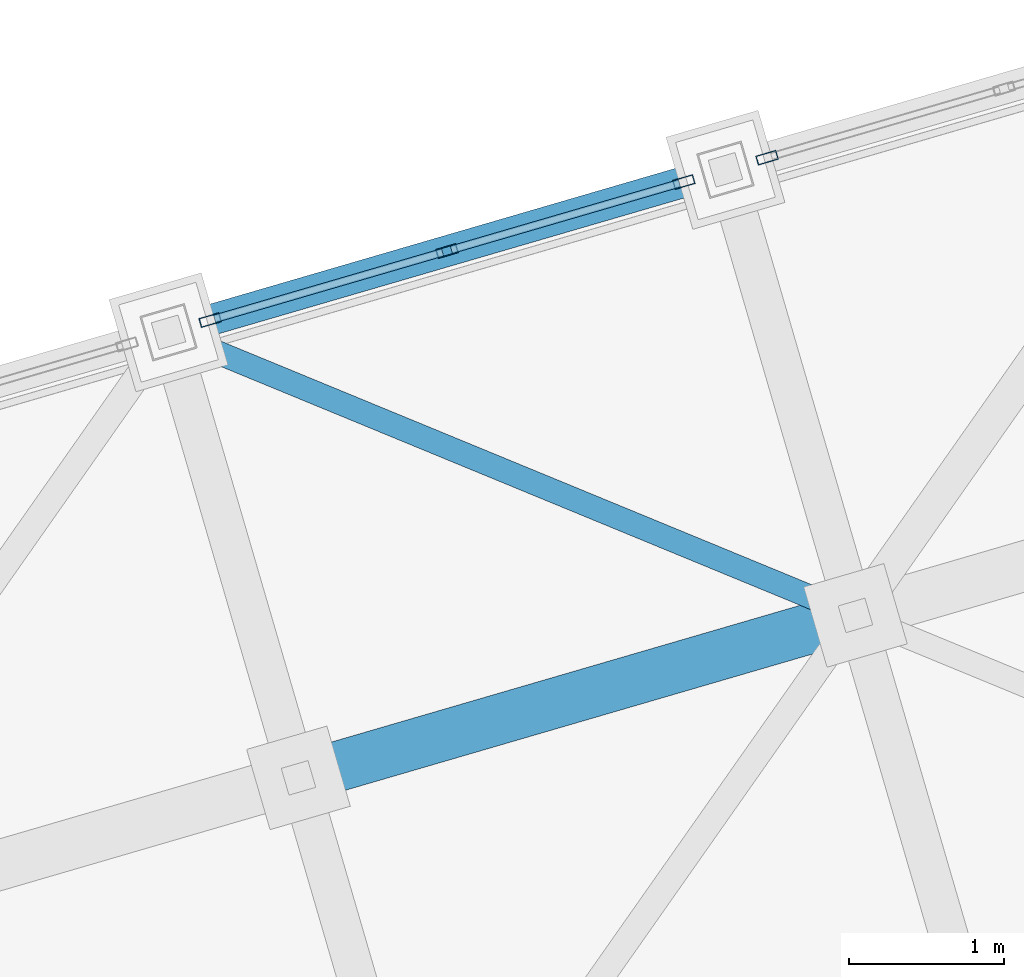
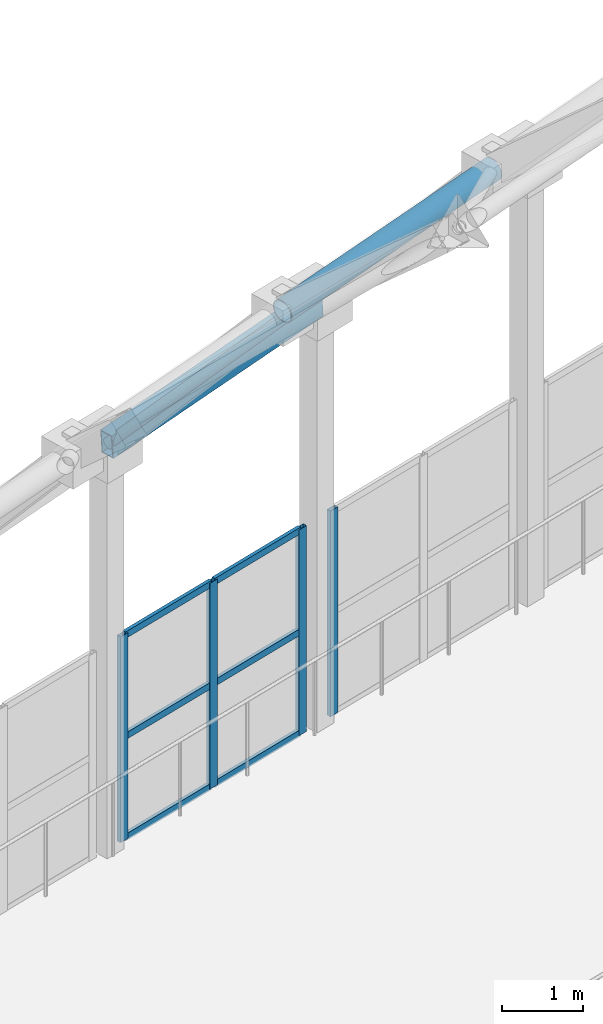
# One storey, part 118 of 248: 12 members, 1 beam, 2 elements without a shape of their own.
"""IFC4 building model written with IfcOpenShell, lengths in metres."""

from ifc_helpers import new_model, si_unit, direction, frame, origin, origin_2d, place, context, subcontext, project, spatial, hollow_rectangle, hollow_circle, extrude, material, layer, layer_set, material_profile, profile_set, type_object, element, aggregate, save


model = new_model("IFC4")

# Units and contexts
model_context = context("Model", 3, precision=1e-05, world=origin(), true_north=direction((0.0, 1.0)))
body_context = subcontext(model_context, "Body", "Model", "MODEL_VIEW")
ifc_project = project(units=[si_unit("LENGTHUNIT", "METRE"), si_unit("AREAUNIT", "SQUARE_METRE"), si_unit("VOLUMEUNIT", "CUBIC_METRE"), si_unit("PLANEANGLEUNIT", "RADIAN"), si_unit("MASSUNIT", "GRAM", prefix="KILO")], contexts=[model_context])

# Site, building, storey
site_placement = place(None, origin())
site = spatial("IfcSite", under=ifc_project, at=site_placement, CompositionType="ELEMENT")
building_placement = place(site_placement, origin())
building = spatial("IfcBuilding", under=site, at=building_placement, Name="Canggui Botanical Conservatory", CompositionType="ELEMENT")
storey_placement = place(building_placement, frame((0.0, 0.0, 5.39990234375)))
storey = spatial("IfcBuildingStorey", under=building, at=storey_placement, Name="L02", CompositionType="ELEMENT", Elevation=5.39990234375)

# Beam
ifc_material_1 = material(Name="Steel Q355C", Category="steel")
ifc_material_profile_1 = material_profile(ifc_material_1, hollow_rectangle(XDim=0.199951171875, YDim=0.35009765625, WallThickness=0.011962890625, at=origin_2d()), Name="RHS 200x350x12")
ifc_profile_set_1 = profile_set([ifc_material_profile_1], Name="Steel Q355C")
beam_type = type_object("IfcBeamType", Name="BM-RING01", PredefinedType="BEAM", material=ifc_profile_set_1)
beam_placement = place(storey_placement, frame((47.60009765625, 81.300048828125, 6.10009765625), z_axis=(0.957867059601, 0.279402253194, 0.066521252562), x_axis=(-0.280022500685, 0.959993437014, 0.0)))
element("IfcBeam", 1, at=beam_placement, inside=storey, type_object=beam_type, Name="Conservatory Perimeter Ring Beam V1-11", PredefinedType="BEAM", context=body_context, shape_type="SweptSolid", body=[
    extrude(hollow_rectangle(XDim=0.199951171875, YDim=0.35009765625, WallThickness=0.011962890625, at=origin_2d()), origin(), (0.0, 0.0, 1.0), 3.75830078125),
])

# Curtain wall, members
ifc_material_2 = material(Name="Thermally Broken Aluminium", Category="aluminium")
ifc_layer = layer(ifc_material_2, 0.135009765625, Name="Thermally Broken Aluminium", Category="aluminium")
ifc_layer_set = layer_set([ifc_layer], Name="Thermally Broken Aluminium")
curtain_wall_type = type_object("IfcCurtainWallType", Name="CW-STICK-A", PredefinedType="USERDEFINED", material=ifc_layer_set)
curtain_wall_1_placement = place(storey_placement, origin())
curtain_wall_1 = element("IfcCurtainWall", 2, at=curtain_wall_1_placement, inside=storey, type_object=curtain_wall_type, Name="Facade Curtain Wall CW-CONS-L02-V1-11", ObjectType="STICK GLAZED WALL", PredefinedType="USERDEFINED")
ifc_material_profile_2 = material_profile(ifc_material_2, hollow_rectangle(XDim=0.06005859375, YDim=0.135009765625, WallThickness=0.00341796875, at=origin_2d()), Name="CWM 60x135x3.5")
ifc_profile_set_2 = profile_set([ifc_material_profile_2], Name="Thermally Broken Aluminium")
member_type_1 = type_object("IfcMemberType", Name="CWM-04", PredefinedType="MULLION", material=ifc_profile_set_2)
member_1_placement = place(storey_placement, frame((47.868896484375, 81.37841796875, 0.0), z_axis=(0.0, 0.0, 1.0), x_axis=(-0.279999999995, 0.960000000002, 0.0)))
member_1 = element("IfcMember", 3, at=member_1_placement, type_object=member_type_1, Name="CW-04 mullion 1", PredefinedType="MULLION", context=body_context, shape_type="SweptSolid", body=[
    extrude(hollow_rectangle(XDim=0.06005859375, YDim=0.135009765625, WallThickness=0.00341796875, at=origin_2d()), origin(), (0.0, 0.0, 1.0), 3.10009765625),
])
member_2_placement = place(storey_placement, frame((49.39990234375, 81.824951171875, 0.0), z_axis=(0.0, 0.0, 1.0), x_axis=(-0.279999999995, 0.960000000002, 0.0)))
member_2 = element("IfcMember", 4, at=member_2_placement, type_object=member_type_1, Name="CW-04 mullion 2", PredefinedType="MULLION", context=body_context, shape_type="SweptSolid", body=[
    extrude(hollow_rectangle(XDim=0.06005859375, YDim=0.135009765625, WallThickness=0.00341796875, at=origin_2d()), origin(), (0.0, 0.0, 1.0), 3.10009765625),
])
member_3_placement = place(storey_placement, frame((50.93115234375, 82.271484375, 0.0), z_axis=(0.0, 0.0, 1.0), x_axis=(-0.279999999995, 0.960000000002, 0.0)))
member_3 = element("IfcMember", 5, at=member_3_placement, type_object=member_type_1, Name="CW-04 mullion 3", PredefinedType="MULLION", context=body_context, shape_type="SweptSolid", body=[
    extrude(hollow_rectangle(XDim=0.06005859375, YDim=0.135009765625, WallThickness=0.00341796875, at=origin_2d()), origin(), (0.0, 0.0, 1.0), 3.10009765625),
])

# Curtain wall, member
curtain_wall_2_placement = place(storey_placement, origin())
curtain_wall_2 = element("IfcCurtainWall", 6, at=curtain_wall_2_placement, inside=storey, type_object=curtain_wall_type, Name="Facade Curtain Wall CW-CONS-L02-V1-12", ObjectType="STICK GLAZED WALL", PredefinedType="USERDEFINED")
member_4_placement = place(storey_placement, frame((51.46875, 82.428466796875, 0.0), z_axis=(0.0, 0.0, 1.0), x_axis=(-0.279999999995, 0.960000000002, 0.0)))
member_4 = element("IfcMember", 7, at=member_4_placement, type_object=member_type_1, Name="CW-04 mullion 1", PredefinedType="MULLION", context=body_context, shape_type="SweptSolid", body=[
    extrude(hollow_rectangle(XDim=0.06005859375, YDim=0.135009765625, WallThickness=0.00341796875, at=origin_2d()), origin(), (0.0, 0.0, 1.0), 3.10009765625),
])
aggregate(curtain_wall_2, [member_4])

# Member
ifc_material_profile_3 = material_profile(ifc_material_2, hollow_rectangle(XDim=0.050048828125, YDim=0.10009765625, WallThickness=0.0029296875, at=origin_2d()), Name="CWT 50x100x3")
ifc_profile_set_3 = profile_set([ifc_material_profile_3], Name="Thermally Broken Aluminium")
member_type_2 = type_object("IfcMemberType", Name="CWT-04", PredefinedType="USERDEFINED", material=ifc_profile_set_3)
member_5_placement = place(storey_placement, frame((47.897705078125, 81.38671875, 0.025146484375), z_axis=(0.95996614364, 0.28011605285, 0.0), x_axis=(-0.28011605285, 0.95996614364, 0.0)))
member_5 = element("IfcMember", 8, at=member_5_placement, type_object=member_type_2, Name="CW-04 transom 1.1", ObjectType="TRANSOM", PredefinedType="USERDEFINED", context=body_context, shape_type="SweptSolid", body=[
    extrude(hollow_rectangle(XDim=0.050048828125, YDim=0.10009765625, WallThickness=0.0029296875, at=origin_2d()), origin(), (0.0, 0.0, 1.0), 1.534912109375),
])

member_6_placement = place(storey_placement, frame((47.897705078125, 81.38671875, 1.550048828125), z_axis=(0.95996614364, 0.28011605285, 0.0), x_axis=(-0.28011605285, 0.95996614364, 0.0)))
member_6 = element("IfcMember", 9, at=member_6_placement, type_object=member_type_2, Name="CW-04 transom 1.2", ObjectType="TRANSOM", PredefinedType="USERDEFINED", context=body_context, shape_type="SweptSolid", body=[
    extrude(hollow_rectangle(XDim=0.050048828125, YDim=0.10009765625, WallThickness=0.0029296875, at=origin_2d()), origin(), (0.0, 0.0, 1.0), 1.534912109375),
])

member_7_placement = place(storey_placement, frame((47.897705078125, 81.38671875, 3.0751953125), z_axis=(0.95996614364, 0.28011605285, 0.0), x_axis=(-0.28011605285, 0.95996614364, 0.0)))
member_7 = element("IfcMember", 10, at=member_7_placement, type_object=member_type_2, Name="CW-04 transom 1.3", ObjectType="TRANSOM", PredefinedType="USERDEFINED", context=body_context, shape_type="SweptSolid", body=[
    extrude(hollow_rectangle(XDim=0.050048828125, YDim=0.10009765625, WallThickness=0.0029296875, at=origin_2d()), origin(), (0.0, 0.0, 1.0), 1.534912109375),
])

member_8_placement = place(storey_placement, frame((49.4287109375, 81.83349609375, 0.025146484375), z_axis=(0.960021373424, 0.279926709282, 0.0), x_axis=(-0.279926709282, 0.960021373424, 0.0)))
member_8 = element("IfcMember", 11, at=member_8_placement, type_object=member_type_2, Name="CW-04 transom 2.1", ObjectType="TRANSOM", PredefinedType="USERDEFINED", context=body_context, shape_type="SweptSolid", body=[
    extrude(hollow_rectangle(XDim=0.050048828125, YDim=0.10009765625, WallThickness=0.0029296875, at=origin_2d()), origin(), (0.0, 0.0, 1.0), 1.534912109375),
])

member_9_placement = place(storey_placement, frame((49.4287109375, 81.83349609375, 1.550048828125), z_axis=(0.960021373424, 0.279926709282, 0.0), x_axis=(-0.279926709282, 0.960021373424, 0.0)))
member_9 = element("IfcMember", 12, at=member_9_placement, type_object=member_type_2, Name="CW-04 transom 2.2", ObjectType="TRANSOM", PredefinedType="USERDEFINED", context=body_context, shape_type="SweptSolid", body=[
    extrude(hollow_rectangle(XDim=0.050048828125, YDim=0.10009765625, WallThickness=0.0029296875, at=origin_2d()), origin(), (0.0, 0.0, 1.0), 1.534912109375),
])

member_10_placement = place(storey_placement, frame((49.4287109375, 81.83349609375, 3.0751953125), z_axis=(0.960021373424, 0.279926709282, 0.0), x_axis=(-0.279926709282, 0.960021373424, 0.0)))
member_10 = element("IfcMember", 13, at=member_10_placement, type_object=member_type_2, Name="CW-04 transom 2.3", ObjectType="TRANSOM", PredefinedType="USERDEFINED", context=body_context, shape_type="SweptSolid", body=[
    extrude(hollow_rectangle(XDim=0.050048828125, YDim=0.10009765625, WallThickness=0.0029296875, at=origin_2d()), origin(), (0.0, 0.0, 1.0), 1.534912109375),
])

aggregate(curtain_wall_1, [member_1, member_2, member_3, member_5, member_6, member_7, member_8, member_9, member_10])

# Members
ifc_material_profile_4 = material_profile(ifc_material_1, hollow_circle(Radius=0.16259765625, WallThickness=0.011962890625, at=origin_2d()), Name="CHS 325x12")
ifc_profile_set_4 = profile_set([ifc_material_profile_4], Name="Steel Q355C")
member_type_3 = type_object("IfcMemberType", Name="MEM-GSC01", PredefinedType="CHORD", material=ifc_profile_set_4)
member_11_placement = place(storey_placement, frame((48.43994140625, 78.419921875, 9.55615234375), z_axis=(0.957872417874, 0.27938486839, 0.066517113516), x_axis=(-0.280004999853, 0.959998541695, 0.0)))
element("IfcMember", 14, at=member_11_placement, inside=storey, type_object=member_type_3, Name="Conservatory Gridshell Longitudinal Chord 11-9", PredefinedType="CHORD", context=body_context, shape_type="SweptSolid", body=[
    extrude(hollow_circle(Radius=0.16259765625, WallThickness=0.011962890625, at=origin_2d()), origin(), (0.0, 0.0, 1.0), 3.758544921875),
])
ifc_material_profile_5 = material_profile(ifc_material_1, hollow_circle(Radius=0.075927734375, WallThickness=0.006103515625, at=origin_2d()), Name="CHS 152x6")
ifc_profile_set_5 = profile_set([ifc_material_profile_5], Name="Steel Q355C")
member_type_4 = type_object("IfcMemberType", Name="MEM-GSD04", PredefinedType="RAFTER", material=ifc_profile_set_5)
member_12_placement = place(storey_placement, frame((47.60009765625, 81.300048828125, 6.10009765625), z_axis=(0.731931437404, -0.301691304013, 0.61094903881), x_axis=(0.381082183428, 0.924541166998, 0.0)))
element("IfcMember", 15, at=member_12_placement, inside=storey, type_object=member_type_4, Name="Conservatory Gridshell Diagrid Rafter 11-10", PredefinedType="RAFTER", context=body_context, shape_type="SweptSolid", body=[
    extrude(hollow_circle(Radius=0.075927734375, WallThickness=0.006103515625, at=origin_2d()), origin(), (0.0, 0.0, 1.0), 6.066162109375),
])

save(model, "model.ifc")
